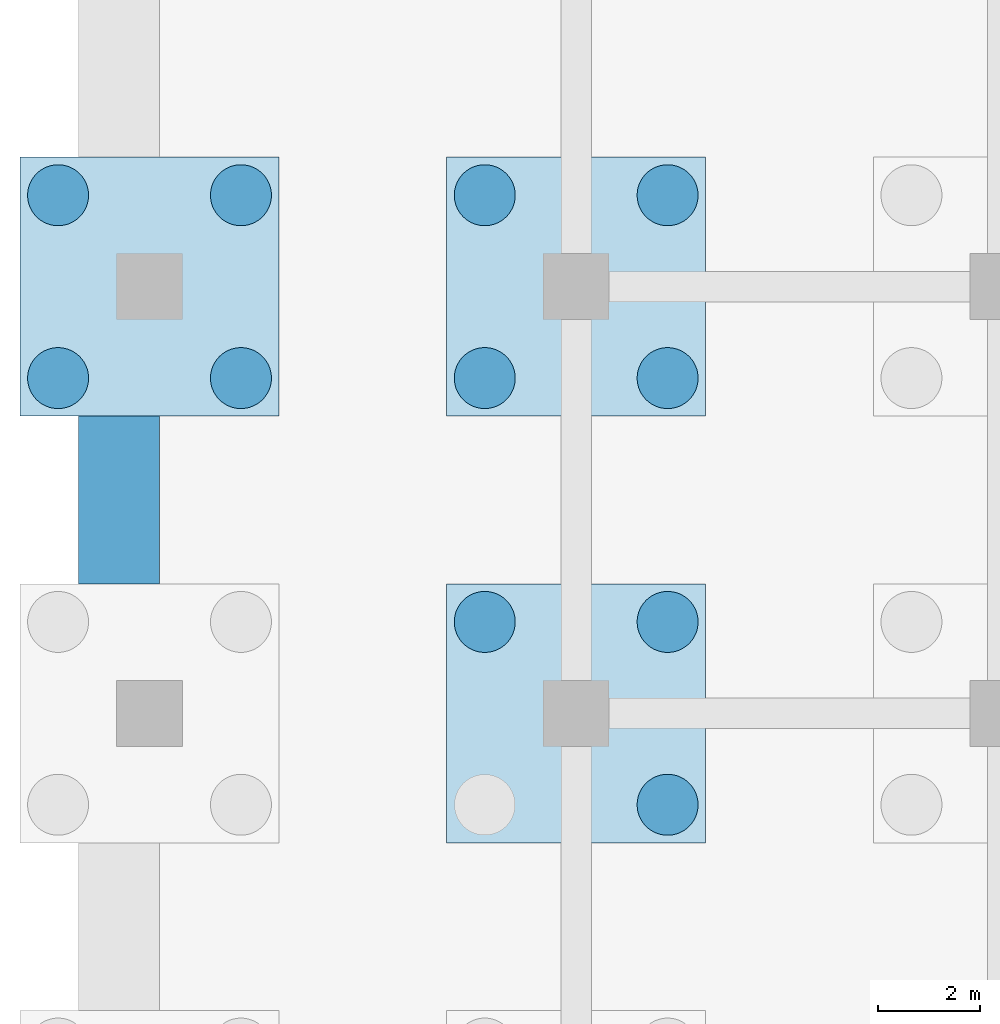
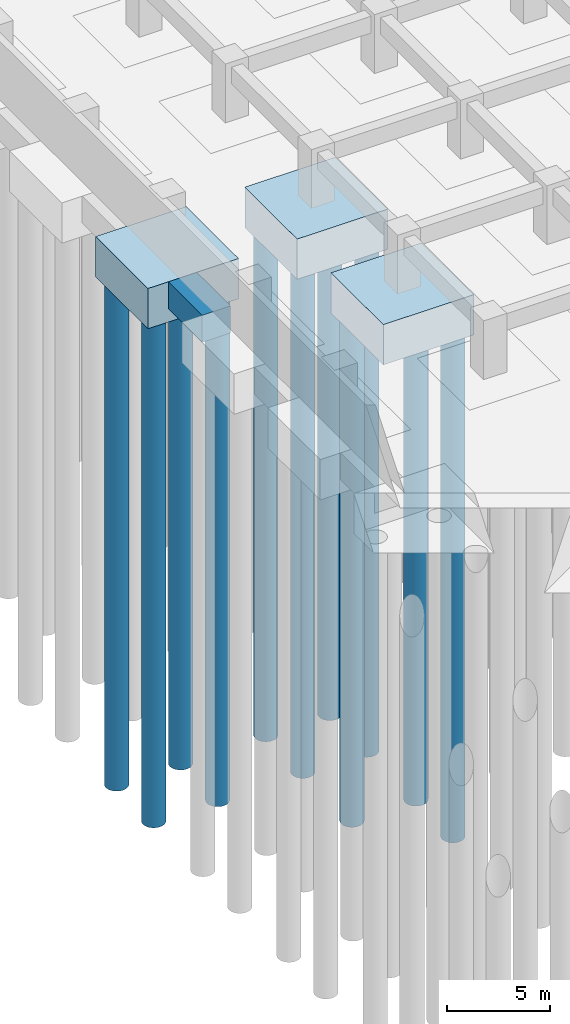
# One storey, part 13 of 73: 11 piles, 4 footings.
"""IFC4 building model written with IfcOpenShell, lengths in metres."""

import ifcopenshell
import ifcopenshell.guid

model = None  # the IFC model being written
_history = None  # IfcOwnerHistory: only IFC2X3 demands one
_inside = {}  # id of a spatial element -> (the spatial element, [elements in it])
_under = {}  # id of a project, library or spatial element -> (it, [spatial elements below it])
_declared = {}  # id of a project -> (the project, [libraries it declares])
_typed = {}  # id of a type object -> (the type object, [elements of that type])
_made_of = {}  # id of a material, layer set ... -> (it, [elements and type objects made of it])


def new_model(schema):
    """Start an empty IFC model of exactly this schema.

    Asked for "IFC4X3", IfcOpenShell would pick the latest addendum, in which some entities
    have other attributes; the version numbers below select the first issue.
    IFC2X3 requires an IfcOwnerHistory on every rooted entity: one is made here for all.
    """
    global model, _history
    if schema == "IFC4X3":
        model = ifcopenshell.file(schema_version=(4, 3, 0, 0))
    else:
        model = ifcopenshell.file(schema=schema)
    _inside.clear()
    _under.clear()
    _declared.clear()
    _typed.clear()
    _made_of.clear()
    _history = None
    if model.schema == "IFC2X3":
        org = make("IfcOrganization", Name="unknown")
        user = make(
            "IfcPersonAndOrganization",
            ThePerson=make("IfcPerson", FamilyName="unknown"),
            TheOrganization=org,
        )
        app = make(
            "IfcApplication",
            ApplicationDeveloper=org,
            Version="unknown",
            ApplicationFullName="unknown",
            ApplicationIdentifier="unknown",
        )
        _history = make(
            "IfcOwnerHistory",
            OwningUser=user,
            OwningApplication=app,
            ChangeAction="ADDED",
            CreationDate=0,
        )
    return model


def make(cls, **values):
    """One entity of the class cls with the attributes given. An attribute that is None is left unset."""
    return model.create_entity(
        cls, **{name: value for name, value in values.items() if value is not None}
    )


def rooted(cls, **values):
    """An entity with a GlobalId (a new one), such as an element, a storey or a relation."""
    return make(cls, GlobalId=ifcopenshell.guid.new(), OwnerHistory=_history, **values)


def si_unit(unit_type, name, prefix=None):
    """IfcSIUnit, for example si_unit("LENGTHUNIT", "METRE", prefix="MILLI")."""
    return make("IfcSIUnit", UnitType=unit_type, Prefix=prefix, Name=name)


def assignment(units):
    """IfcUnitAssignment: the units of a project."""
    return None if units is None else make("IfcUnitAssignment", Units=units)


def point(xyz):
    """IfcCartesianPoint."""
    return None if xyz is None else make("IfcCartesianPoint", Coordinates=xyz)


def direction(xyz):
    """IfcDirection."""
    return None if xyz is None else make("IfcDirection", DirectionRatios=xyz)


def frame(location, z_axis=None, x_axis=None):
    """IfcAxis2Placement3D, a coordinate frame: its origin and axes. An axis left out is left unset."""
    return make(
        "IfcAxis2Placement3D",
        Location=point(location),
        Axis=direction(z_axis),
        RefDirection=direction(x_axis),
    )


def frame_2d(location, x_axis=None):
    """IfcAxis2Placement2D, a coordinate frame in the plane: its origin and x axis."""
    return make(
        "IfcAxis2Placement2D", Location=point(location), RefDirection=direction(x_axis)
    )


def origin():
    """The frame at (0, 0, 0) with its axes left unset."""
    return frame((0.0, 0.0, 0.0))


def origin_2d():
    """The frame at (0, 0) in the plane with its x axis left unset."""
    return frame_2d((0.0, 0.0))


def place(relative_to, where):
    """IfcLocalPlacement: puts the frame where relative to a parent placement (None: the world)."""
    return make(
        "IfcLocalPlacement", PlacementRelTo=relative_to, RelativePlacement=where
    )


def context(
    kind, dimensions, precision=None, world=None, true_north=None, identifier=None
):
    """IfcGeometricRepresentationContext, for example the 3D "Model" context."""
    return make(
        "IfcGeometricRepresentationContext",
        ContextIdentifier=identifier,
        ContextType=kind,
        CoordinateSpaceDimension=dimensions,
        Precision=precision,
        WorldCoordinateSystem=world,
        TrueNorth=true_north,
    )


def subcontext(parent, identifier, kind, view, scale=None):
    """IfcGeometricRepresentationSubContext, for example "Body" below "Model"."""
    return make(
        "IfcGeometricRepresentationSubContext",
        ContextIdentifier=identifier,
        ContextType=kind,
        ParentContext=parent,
        TargetScale=scale,
        TargetView=view,
    )


def project(units=None, contexts=None):
    """IfcProject with its units and contexts."""
    return rooted(
        "IfcProject",
        Name="project",
        RepresentationContexts=contexts,
        UnitsInContext=assignment(units),
    )


def spatial(cls, under=None, at=None, **own):
    """A site, building, storey or space (cls), placed at a placement, below another one or the project."""
    s = rooted(cls, ObjectPlacement=at, **own)
    if under is not None:
        _under.setdefault(under.id(), (under, []))[1].append(s)
    return s


def polyline(points):
    """IfcPolyline through the points."""
    return make("IfcPolyline", Points=[point(p) for p in points])


def profile(cls, at=None, kind="AREA", **sizes):
    """A parametric profile (cls). Its sizes go by their IFC names, for example OverallWidth=200.0."""
    return make(cls, ProfileType=kind, Position=at, **sizes)


def circle(**sizes):
    """IfcCircleProfileDef."""
    return profile("IfcCircleProfileDef", **sizes)


def outline(outer, holes=None, kind="AREA"):
    """IfcArbitraryClosedProfileDef: a profile drawn as a closed curve; with holes, ...WithVoids."""
    if holes is None:
        return make("IfcArbitraryClosedProfileDef", ProfileType=kind, OuterCurve=outer)
    return make(
        "IfcArbitraryProfileDefWithVoids",
        ProfileType=kind,
        OuterCurve=outer,
        InnerCurves=holes,
    )


def extrude(swept, where, along, depth):
    """IfcExtrudedAreaSolid: the profile swept, set in the frame where, extruded along a direction by depth."""
    return make(
        "IfcExtrudedAreaSolid",
        SweptArea=swept,
        Position=where,
        ExtrudedDirection=direction(along),
        Depth=depth,
    )


def shape(context_of_items, identifier, shape_type, items):
    """IfcShapeRepresentation: the items that make up one representation, for example the "Body"."""
    return make(
        "IfcShapeRepresentation",
        ContextOfItems=context_of_items,
        RepresentationIdentifier=identifier,
        RepresentationType=shape_type,
        Items=items,
    )


def material(Name=None, Category=None):
    """IfcMaterial."""
    return make("IfcMaterial", Name=Name, Category=Category)


def material_profile(
    of_material, cross_section, Name=None, Category=None, Priority=None
):
    """IfcMaterialProfile: a cross section and its material."""
    return make(
        "IfcMaterialProfile",
        Name=Name,
        Material=of_material,
        Profile=cross_section,
        Priority=Priority,
        Category=Category,
    )


def profile_set(profiles, Name=None, composite=None):
    """IfcMaterialProfileSet."""
    return make(
        "IfcMaterialProfileSet",
        Name=Name,
        MaterialProfiles=profiles,
        CompositeProfile=composite,
    )


def made_of(thing, what):
    """Note that an element or type object is made of a material, layer set ...; save() writes the relation."""
    if what is not None:
        _made_of.setdefault(what.id(), (what, []))[1].append(thing)
    return thing


def type_object(cls, material=None, **own):
    """A type object (cls), such as IfcWallType, which elements share."""
    return made_of(rooted(cls, **own), material)


def element(
    cls,
    number,
    at=None,
    inside=None,
    cuts=None,
    type_object=None,
    material=None,
    context=None,
    identifier="Body",
    shape_type=None,
    held_by="IfcProductDefinitionShape",
    body=None,
    shapes=None,
    **own,
):
    """One element of the class cls, such as IfcWall. Its Tag is "e" and its number.

    at: its placement. inside: the storey or other place that contains it. cuts: it is an
    opening in that element (IfcRelVoidsElement). A single representation is given by context,
    identifier, shape_type and body (its items); several are given by shapes. held_by: the class
    of the entity that holds the representations. save() writes the other relations.
    """
    e = rooted(cls, Tag="e%d" % number, ObjectPlacement=at, **own)
    if body is not None:
        shapes = [shape(context, identifier, shape_type, body)]
    if shapes is not None:
        e.Representation = make(held_by, Representations=shapes)
    if inside is not None:
        _inside.setdefault(inside.id(), (inside, []))[1].append(e)
    if cuts is not None:
        rooted(
            "IfcRelVoidsElement", RelatingBuildingElement=cuts, RelatedOpeningElement=e
        )
    if type_object is not None:
        _typed.setdefault(type_object.id(), (type_object, []))[1].append(e)
    return made_of(e, material)


def aggregate(whole, parts):
    """IfcRelAggregates: a whole, such as a stair, and the parts it consists of."""
    return rooted("IfcRelAggregates", RelatingObject=whole, RelatedObjects=parts)


def save(model, path):
    """Write the relations noted so far, then the file.

    IfcRelAggregates (storeys below a building ...), IfcRelContainedInSpatialStructure (elements
    in a storey), IfcRelDefinesByType, IfcRelAssociatesMaterial and IfcRelDeclares: one each for
    every whole, place, type object, material and project.
    """
    for whole, parts in _under.values():
        aggregate(whole, parts)
    for where, things in _inside.values():
        rooted(
            "IfcRelContainedInSpatialStructure",
            RelatedElements=things,
            RelatingStructure=where,
        )
    for kind, things in _typed.values():
        rooted("IfcRelDefinesByType", RelatedObjects=things, RelatingType=kind)
    for what, things in _made_of.values():
        rooted("IfcRelAssociatesMaterial", RelatedObjects=things, RelatingMaterial=what)
    for by, libraries in _declared.values():
        rooted("IfcRelDeclares", RelatingContext=by, RelatedDefinitions=libraries)
    model.write(path)


model = new_model("IFC4")

# Units and contexts
model_context = context("Model", 3, precision=1e-05, world=origin(), true_north=direction((0.0, 1.0)))
body_context = subcontext(model_context, "Body", "Model", "MODEL_VIEW")
ifc_project = project(units=[si_unit("LENGTHUNIT", "METRE"), si_unit("AREAUNIT", "SQUARE_METRE"), si_unit("VOLUMEUNIT", "CUBIC_METRE"), si_unit("PLANEANGLEUNIT", "RADIAN"), si_unit("MASSUNIT", "GRAM", prefix="KILO")], contexts=[model_context])

# Site, building, storey
site_placement = place(None, origin())
site = spatial("IfcSite", under=ifc_project, at=site_placement, CompositionType="ELEMENT")
building_placement = place(site_placement, origin())
building = spatial("IfcBuilding", under=site, at=building_placement, Name="Impinga Residences", CompositionType="ELEMENT")
storey_placement = place(building_placement, frame((0.0, 0.0, -10.5)))
storey = spatial("IfcBuildingStorey", under=building, at=storey_placement, Name="B3", CompositionType="ELEMENT", Elevation=-10.5)

# Piles
ifc_material_1 = material(Name="Concrete C35/45", Category="concrete")
ifc_material_profile = material_profile(ifc_material_1, circle(Radius=0.60009765625, at=origin_2d()), Name="D1200")
ifc_profile_set = profile_set([ifc_material_profile], Name="Concrete C35/45")
pile_type = type_object("IfcPileType", Name="BP2 bored pile D1200", PredefinedType="BORED", material=ifc_profile_set)
pile_1_placement = place(storey_placement, frame((-52.199951171875, 15.0, -2.39990234375), z_axis=(0.0, 0.0, -1.0), x_axis=(1.0, 0.0, 0.0)))
element("IfcPile", 1, at=pile_1_placement, inside=storey, type_object=pile_type, Name="Cap pile BP2 1/H-1", PredefinedType="BORED", context=body_context, shape_type="SweptSolid", body=[
    extrude(outline(polyline([(0.60009765625, 0.0), (0.59716796875, 0.058837890625), (0.58837890625, 0.116943359375), (0.57421875, 0.174072265625), (0.554443359375, 0.2294921875), (0.529052734375, 0.282958984375), (0.498779296875, 0.333251953125), (0.4638671875, 0.380615234375), (0.42431640625, 0.42431640625), (0.380615234375, 0.4638671875), (0.333251953125, 0.498779296875), (0.282958984375, 0.529052734375), (0.2294921875, 0.554443359375), (0.174072265625, 0.57421875), (0.116943359375, 0.58837890625), (0.058837890625, 0.59716796875), (0.0, 0.60009765625), (-0.058837890625, 0.59716796875), (-0.116943359375, 0.58837890625), (-0.174072265625, 0.57421875), (-0.2294921875, 0.554443359375), (-0.282958984375, 0.529052734375), (-0.333251953125, 0.498779296875), (-0.380615234375, 0.4638671875), (-0.42431640625, 0.42431640625), (-0.4638671875, 0.380615234375), (-0.498779296875, 0.333251953125), (-0.529052734375, 0.282958984375), (-0.554443359375, 0.2294921875), (-0.57421875, 0.174072265625), (-0.58837890625, 0.116943359375), (-0.59716796875, 0.058837890625), (-0.60009765625, 0.0), (-0.59716796875, -0.058837890625), (-0.58837890625, -0.116943359375), (-0.57421875, -0.174072265625), (-0.554443359375, -0.2294921875), (-0.529052734375, -0.282958984375), (-0.498779296875, -0.333251953125), (-0.4638671875, -0.380615234375), (-0.42431640625, -0.42431640625), (-0.380615234375, -0.4638671875), (-0.333251953125, -0.498779296875), (-0.282958984375, -0.529052734375), (-0.2294921875, -0.554443359375), (-0.174072265625, -0.57421875), (-0.116943359375, -0.58837890625), (-0.058837890625, -0.59716796875), (0.0, -0.60009765625), (0.058837890625, -0.59716796875), (0.116943359375, -0.58837890625), (0.174072265625, -0.57421875), (0.2294921875, -0.554443359375), (0.282958984375, -0.529052734375), (0.333251953125, -0.498779296875), (0.380615234375, -0.4638671875), (0.42431640625, -0.42431640625), (0.4638671875, -0.380615234375), (0.498779296875, -0.333251953125), (0.529052734375, -0.282958984375), (0.554443359375, -0.2294921875), (0.57421875, -0.174072265625), (0.58837890625, -0.116943359375), (0.59716796875, -0.058837890625), (0.60009765625, 0.0)])), origin(), (0.0, 0.0, 1.0), 30.0),
])
pile_2_placement = place(storey_placement, frame((-48.60009765625, 15.0, -2.39990234375), z_axis=(0.0, 0.0, -1.0), x_axis=(1.0, 0.0, 0.0)))
element("IfcPile", 2, at=pile_2_placement, inside=storey, type_object=pile_type, Name="Cap pile BP2 1/H-2", PredefinedType="BORED", context=body_context, shape_type="SweptSolid", body=[
    extrude(outline(polyline([(0.60009765625, 0.0), (0.59716796875, 0.058837890625), (0.58837890625, 0.116943359375), (0.57421875, 0.174072265625), (0.554443359375, 0.2294921875), (0.529052734375, 0.282958984375), (0.498779296875, 0.333251953125), (0.4638671875, 0.380615234375), (0.42431640625, 0.42431640625), (0.380615234375, 0.4638671875), (0.333251953125, 0.498779296875), (0.282958984375, 0.529052734375), (0.2294921875, 0.554443359375), (0.174072265625, 0.57421875), (0.116943359375, 0.58837890625), (0.058837890625, 0.59716796875), (0.0, 0.60009765625), (-0.058837890625, 0.59716796875), (-0.116943359375, 0.58837890625), (-0.174072265625, 0.57421875), (-0.2294921875, 0.554443359375), (-0.282958984375, 0.529052734375), (-0.333251953125, 0.498779296875), (-0.380615234375, 0.4638671875), (-0.42431640625, 0.42431640625), (-0.4638671875, 0.380615234375), (-0.498779296875, 0.333251953125), (-0.529052734375, 0.282958984375), (-0.554443359375, 0.2294921875), (-0.57421875, 0.174072265625), (-0.58837890625, 0.116943359375), (-0.59716796875, 0.058837890625), (-0.60009765625, 0.0), (-0.59716796875, -0.058837890625), (-0.58837890625, -0.116943359375), (-0.57421875, -0.174072265625), (-0.554443359375, -0.2294921875), (-0.529052734375, -0.282958984375), (-0.498779296875, -0.333251953125), (-0.4638671875, -0.380615234375), (-0.42431640625, -0.42431640625), (-0.380615234375, -0.4638671875), (-0.333251953125, -0.498779296875), (-0.282958984375, -0.529052734375), (-0.2294921875, -0.554443359375), (-0.174072265625, -0.57421875), (-0.116943359375, -0.58837890625), (-0.058837890625, -0.59716796875), (0.0, -0.60009765625), (0.058837890625, -0.59716796875), (0.116943359375, -0.58837890625), (0.174072265625, -0.57421875), (0.2294921875, -0.554443359375), (0.282958984375, -0.529052734375), (0.333251953125, -0.498779296875), (0.380615234375, -0.4638671875), (0.42431640625, -0.42431640625), (0.4638671875, -0.380615234375), (0.498779296875, -0.333251953125), (0.529052734375, -0.282958984375), (0.554443359375, -0.2294921875), (0.57421875, -0.174072265625), (0.58837890625, -0.116943359375), (0.59716796875, -0.058837890625), (0.60009765625, 0.0)])), origin(), (0.0, 0.0, 1.0), 30.0),
])
pile_3_placement = place(storey_placement, frame((-48.60009765625, 18.60009765625, -2.39990234375), z_axis=(0.0, 0.0, -1.0), x_axis=(1.0, 0.0, 0.0)))
element("IfcPile", 3, at=pile_3_placement, inside=storey, type_object=pile_type, Name="Cap pile BP2 1/H-3", PredefinedType="BORED", context=body_context, shape_type="SweptSolid", body=[
    extrude(outline(polyline([(0.60009765625, 0.0), (0.59716796875, 0.058837890625), (0.58837890625, 0.116943359375), (0.57421875, 0.174072265625), (0.554443359375, 0.2294921875), (0.529052734375, 0.282958984375), (0.498779296875, 0.333251953125), (0.4638671875, 0.380615234375), (0.42431640625, 0.42431640625), (0.380615234375, 0.4638671875), (0.333251953125, 0.498779296875), (0.282958984375, 0.529052734375), (0.2294921875, 0.554443359375), (0.174072265625, 0.57421875), (0.116943359375, 0.58837890625), (0.058837890625, 0.59716796875), (0.0, 0.60009765625), (-0.058837890625, 0.59716796875), (-0.116943359375, 0.58837890625), (-0.174072265625, 0.57421875), (-0.2294921875, 0.554443359375), (-0.282958984375, 0.529052734375), (-0.333251953125, 0.498779296875), (-0.380615234375, 0.4638671875), (-0.42431640625, 0.42431640625), (-0.4638671875, 0.380615234375), (-0.498779296875, 0.333251953125), (-0.529052734375, 0.282958984375), (-0.554443359375, 0.2294921875), (-0.57421875, 0.174072265625), (-0.58837890625, 0.116943359375), (-0.59716796875, 0.058837890625), (-0.60009765625, 0.0), (-0.59716796875, -0.058837890625), (-0.58837890625, -0.116943359375), (-0.57421875, -0.174072265625), (-0.554443359375, -0.2294921875), (-0.529052734375, -0.282958984375), (-0.498779296875, -0.333251953125), (-0.4638671875, -0.380615234375), (-0.42431640625, -0.42431640625), (-0.380615234375, -0.4638671875), (-0.333251953125, -0.498779296875), (-0.282958984375, -0.529052734375), (-0.2294921875, -0.554443359375), (-0.174072265625, -0.57421875), (-0.116943359375, -0.58837890625), (-0.058837890625, -0.59716796875), (0.0, -0.60009765625), (0.058837890625, -0.59716796875), (0.116943359375, -0.58837890625), (0.174072265625, -0.57421875), (0.2294921875, -0.554443359375), (0.282958984375, -0.529052734375), (0.333251953125, -0.498779296875), (0.380615234375, -0.4638671875), (0.42431640625, -0.42431640625), (0.4638671875, -0.380615234375), (0.498779296875, -0.333251953125), (0.529052734375, -0.282958984375), (0.554443359375, -0.2294921875), (0.57421875, -0.174072265625), (0.58837890625, -0.116943359375), (0.59716796875, -0.058837890625), (0.60009765625, 0.0)])), origin(), (0.0, 0.0, 1.0), 30.0),
])
pile_4_placement = place(storey_placement, frame((-52.199951171875, 18.60009765625, -2.39990234375), z_axis=(0.0, 0.0, -1.0), x_axis=(1.0, 0.0, 0.0)))
element("IfcPile", 4, at=pile_4_placement, inside=storey, type_object=pile_type, Name="Cap pile BP2 1/H-4", PredefinedType="BORED", context=body_context, shape_type="SweptSolid", body=[
    extrude(outline(polyline([(0.60009765625, 0.0), (0.59716796875, 0.058837890625), (0.58837890625, 0.116943359375), (0.57421875, 0.174072265625), (0.554443359375, 0.2294921875), (0.529052734375, 0.282958984375), (0.498779296875, 0.333251953125), (0.4638671875, 0.380615234375), (0.42431640625, 0.42431640625), (0.380615234375, 0.4638671875), (0.333251953125, 0.498779296875), (0.282958984375, 0.529052734375), (0.2294921875, 0.554443359375), (0.174072265625, 0.57421875), (0.116943359375, 0.58837890625), (0.058837890625, 0.59716796875), (0.0, 0.60009765625), (-0.058837890625, 0.59716796875), (-0.116943359375, 0.58837890625), (-0.174072265625, 0.57421875), (-0.2294921875, 0.554443359375), (-0.282958984375, 0.529052734375), (-0.333251953125, 0.498779296875), (-0.380615234375, 0.4638671875), (-0.42431640625, 0.42431640625), (-0.4638671875, 0.380615234375), (-0.498779296875, 0.333251953125), (-0.529052734375, 0.282958984375), (-0.554443359375, 0.2294921875), (-0.57421875, 0.174072265625), (-0.58837890625, 0.116943359375), (-0.59716796875, 0.058837890625), (-0.60009765625, 0.0), (-0.59716796875, -0.058837890625), (-0.58837890625, -0.116943359375), (-0.57421875, -0.174072265625), (-0.554443359375, -0.2294921875), (-0.529052734375, -0.282958984375), (-0.498779296875, -0.333251953125), (-0.4638671875, -0.380615234375), (-0.42431640625, -0.42431640625), (-0.380615234375, -0.4638671875), (-0.333251953125, -0.498779296875), (-0.282958984375, -0.529052734375), (-0.2294921875, -0.554443359375), (-0.174072265625, -0.57421875), (-0.116943359375, -0.58837890625), (-0.058837890625, -0.59716796875), (0.0, -0.60009765625), (0.058837890625, -0.59716796875), (0.116943359375, -0.58837890625), (0.174072265625, -0.57421875), (0.2294921875, -0.554443359375), (0.282958984375, -0.529052734375), (0.333251953125, -0.498779296875), (0.380615234375, -0.4638671875), (0.42431640625, -0.42431640625), (0.4638671875, -0.380615234375), (0.498779296875, -0.333251953125), (0.529052734375, -0.282958984375), (0.554443359375, -0.2294921875), (0.57421875, -0.174072265625), (0.58837890625, -0.116943359375), (0.59716796875, -0.058837890625), (0.60009765625, 0.0)])), origin(), (0.0, 0.0, 1.0), 30.0),
])
pile_5_placement = place(storey_placement, frame((-40.199951171875, 6.60009765625, -2.39990234375), z_axis=(0.0, 0.0, -1.0), x_axis=(1.0, 0.0, 0.0)))
element("IfcPile", 5, at=pile_5_placement, inside=storey, type_object=pile_type, Name="Cap pile BP2 2/G-2", PredefinedType="BORED", context=body_context, shape_type="SweptSolid", body=[
    extrude(outline(polyline([(0.60009765625, 0.0), (0.59716796875, 0.058837890625), (0.58837890625, 0.116943359375), (0.57421875, 0.174072265625), (0.554443359375, 0.2294921875), (0.529052734375, 0.282958984375), (0.498779296875, 0.333251953125), (0.4638671875, 0.380615234375), (0.42431640625, 0.42431640625), (0.380615234375, 0.4638671875), (0.333251953125, 0.498779296875), (0.282958984375, 0.529052734375), (0.2294921875, 0.554443359375), (0.174072265625, 0.57421875), (0.116943359375, 0.58837890625), (0.058837890625, 0.59716796875), (0.0, 0.60009765625), (-0.058837890625, 0.59716796875), (-0.116943359375, 0.58837890625), (-0.174072265625, 0.57421875), (-0.2294921875, 0.554443359375), (-0.282958984375, 0.529052734375), (-0.333251953125, 0.498779296875), (-0.380615234375, 0.4638671875), (-0.42431640625, 0.42431640625), (-0.4638671875, 0.380615234375), (-0.498779296875, 0.333251953125), (-0.529052734375, 0.282958984375), (-0.554443359375, 0.2294921875), (-0.57421875, 0.174072265625), (-0.58837890625, 0.116943359375), (-0.59716796875, 0.058837890625), (-0.60009765625, 0.0), (-0.59716796875, -0.058837890625), (-0.58837890625, -0.116943359375), (-0.57421875, -0.174072265625), (-0.554443359375, -0.2294921875), (-0.529052734375, -0.282958984375), (-0.498779296875, -0.333251953125), (-0.4638671875, -0.380615234375), (-0.42431640625, -0.42431640625), (-0.380615234375, -0.4638671875), (-0.333251953125, -0.498779296875), (-0.282958984375, -0.529052734375), (-0.2294921875, -0.554443359375), (-0.174072265625, -0.57421875), (-0.116943359375, -0.58837890625), (-0.058837890625, -0.59716796875), (0.0, -0.60009765625), (0.058837890625, -0.59716796875), (0.116943359375, -0.58837890625), (0.174072265625, -0.57421875), (0.2294921875, -0.554443359375), (0.282958984375, -0.529052734375), (0.333251953125, -0.498779296875), (0.380615234375, -0.4638671875), (0.42431640625, -0.42431640625), (0.4638671875, -0.380615234375), (0.498779296875, -0.333251953125), (0.529052734375, -0.282958984375), (0.554443359375, -0.2294921875), (0.57421875, -0.174072265625), (0.58837890625, -0.116943359375), (0.59716796875, -0.058837890625), (0.60009765625, 0.0)])), origin(), (0.0, 0.0, 1.0), 30.0),
])
pile_6_placement = place(storey_placement, frame((-40.199951171875, 10.199951171875, -2.39990234375), z_axis=(0.0, 0.0, -1.0), x_axis=(1.0, 0.0, 0.0)))
element("IfcPile", 6, at=pile_6_placement, inside=storey, type_object=pile_type, Name="Cap pile BP2 2/G-3", PredefinedType="BORED", context=body_context, shape_type="SweptSolid", body=[
    extrude(outline(polyline([(0.60009765625, 0.0), (0.59716796875, 0.058837890625), (0.58837890625, 0.116943359375), (0.57421875, 0.174072265625), (0.554443359375, 0.2294921875), (0.529052734375, 0.282958984375), (0.498779296875, 0.333251953125), (0.4638671875, 0.380615234375), (0.42431640625, 0.42431640625), (0.380615234375, 0.4638671875), (0.333251953125, 0.498779296875), (0.282958984375, 0.529052734375), (0.2294921875, 0.554443359375), (0.174072265625, 0.57421875), (0.116943359375, 0.58837890625), (0.058837890625, 0.59716796875), (0.0, 0.60009765625), (-0.058837890625, 0.59716796875), (-0.116943359375, 0.58837890625), (-0.174072265625, 0.57421875), (-0.2294921875, 0.554443359375), (-0.282958984375, 0.529052734375), (-0.333251953125, 0.498779296875), (-0.380615234375, 0.4638671875), (-0.42431640625, 0.42431640625), (-0.4638671875, 0.380615234375), (-0.498779296875, 0.333251953125), (-0.529052734375, 0.282958984375), (-0.554443359375, 0.2294921875), (-0.57421875, 0.174072265625), (-0.58837890625, 0.116943359375), (-0.59716796875, 0.058837890625), (-0.60009765625, 0.0), (-0.59716796875, -0.058837890625), (-0.58837890625, -0.116943359375), (-0.57421875, -0.174072265625), (-0.554443359375, -0.2294921875), (-0.529052734375, -0.282958984375), (-0.498779296875, -0.333251953125), (-0.4638671875, -0.380615234375), (-0.42431640625, -0.42431640625), (-0.380615234375, -0.4638671875), (-0.333251953125, -0.498779296875), (-0.282958984375, -0.529052734375), (-0.2294921875, -0.554443359375), (-0.174072265625, -0.57421875), (-0.116943359375, -0.58837890625), (-0.058837890625, -0.59716796875), (0.0, -0.60009765625), (0.058837890625, -0.59716796875), (0.116943359375, -0.58837890625), (0.174072265625, -0.57421875), (0.2294921875, -0.554443359375), (0.282958984375, -0.529052734375), (0.333251953125, -0.498779296875), (0.380615234375, -0.4638671875), (0.42431640625, -0.42431640625), (0.4638671875, -0.380615234375), (0.498779296875, -0.333251953125), (0.529052734375, -0.282958984375), (0.554443359375, -0.2294921875), (0.57421875, -0.174072265625), (0.58837890625, -0.116943359375), (0.59716796875, -0.058837890625), (0.60009765625, 0.0)])), origin(), (0.0, 0.0, 1.0), 30.0),
])
pile_7_placement = place(storey_placement, frame((-43.800048828125, 10.199951171875, -2.39990234375), z_axis=(0.0, 0.0, -1.0), x_axis=(1.0, 0.0, 0.0)))
element("IfcPile", 7, at=pile_7_placement, inside=storey, type_object=pile_type, Name="Cap pile BP2 2/G-4", PredefinedType="BORED", context=body_context, shape_type="SweptSolid", body=[
    extrude(outline(polyline([(0.60009765625, 0.0), (0.59716796875, 0.058837890625), (0.58837890625, 0.116943359375), (0.57421875, 0.174072265625), (0.554443359375, 0.2294921875), (0.529052734375, 0.282958984375), (0.498779296875, 0.333251953125), (0.4638671875, 0.380615234375), (0.42431640625, 0.42431640625), (0.380615234375, 0.4638671875), (0.333251953125, 0.498779296875), (0.282958984375, 0.529052734375), (0.2294921875, 0.554443359375), (0.174072265625, 0.57421875), (0.116943359375, 0.58837890625), (0.058837890625, 0.59716796875), (0.0, 0.60009765625), (-0.058837890625, 0.59716796875), (-0.116943359375, 0.58837890625), (-0.174072265625, 0.57421875), (-0.2294921875, 0.554443359375), (-0.282958984375, 0.529052734375), (-0.333251953125, 0.498779296875), (-0.380615234375, 0.4638671875), (-0.42431640625, 0.42431640625), (-0.4638671875, 0.380615234375), (-0.498779296875, 0.333251953125), (-0.529052734375, 0.282958984375), (-0.554443359375, 0.2294921875), (-0.57421875, 0.174072265625), (-0.58837890625, 0.116943359375), (-0.59716796875, 0.058837890625), (-0.60009765625, 0.0), (-0.59716796875, -0.058837890625), (-0.58837890625, -0.116943359375), (-0.57421875, -0.174072265625), (-0.554443359375, -0.2294921875), (-0.529052734375, -0.282958984375), (-0.498779296875, -0.333251953125), (-0.4638671875, -0.380615234375), (-0.42431640625, -0.42431640625), (-0.380615234375, -0.4638671875), (-0.333251953125, -0.498779296875), (-0.282958984375, -0.529052734375), (-0.2294921875, -0.554443359375), (-0.174072265625, -0.57421875), (-0.116943359375, -0.58837890625), (-0.058837890625, -0.59716796875), (0.0, -0.60009765625), (0.058837890625, -0.59716796875), (0.116943359375, -0.58837890625), (0.174072265625, -0.57421875), (0.2294921875, -0.554443359375), (0.282958984375, -0.529052734375), (0.333251953125, -0.498779296875), (0.380615234375, -0.4638671875), (0.42431640625, -0.42431640625), (0.4638671875, -0.380615234375), (0.498779296875, -0.333251953125), (0.529052734375, -0.282958984375), (0.554443359375, -0.2294921875), (0.57421875, -0.174072265625), (0.58837890625, -0.116943359375), (0.59716796875, -0.058837890625), (0.60009765625, 0.0)])), origin(), (0.0, 0.0, 1.0), 30.0),
])
pile_8_placement = place(storey_placement, frame((-43.800048828125, 15.0, -2.39990234375), z_axis=(0.0, 0.0, -1.0), x_axis=(1.0, 0.0, 0.0)))
element("IfcPile", 8, at=pile_8_placement, inside=storey, type_object=pile_type, Name="Cap pile BP2 2/H-1", PredefinedType="BORED", context=body_context, shape_type="SweptSolid", body=[
    extrude(outline(polyline([(0.60009765625, 0.0), (0.59716796875, 0.058837890625), (0.58837890625, 0.116943359375), (0.57421875, 0.174072265625), (0.554443359375, 0.2294921875), (0.529052734375, 0.282958984375), (0.498779296875, 0.333251953125), (0.4638671875, 0.380615234375), (0.42431640625, 0.42431640625), (0.380615234375, 0.4638671875), (0.333251953125, 0.498779296875), (0.282958984375, 0.529052734375), (0.2294921875, 0.554443359375), (0.174072265625, 0.57421875), (0.116943359375, 0.58837890625), (0.058837890625, 0.59716796875), (0.0, 0.60009765625), (-0.058837890625, 0.59716796875), (-0.116943359375, 0.58837890625), (-0.174072265625, 0.57421875), (-0.2294921875, 0.554443359375), (-0.282958984375, 0.529052734375), (-0.333251953125, 0.498779296875), (-0.380615234375, 0.4638671875), (-0.42431640625, 0.42431640625), (-0.4638671875, 0.380615234375), (-0.498779296875, 0.333251953125), (-0.529052734375, 0.282958984375), (-0.554443359375, 0.2294921875), (-0.57421875, 0.174072265625), (-0.58837890625, 0.116943359375), (-0.59716796875, 0.058837890625), (-0.60009765625, 0.0), (-0.59716796875, -0.058837890625), (-0.58837890625, -0.116943359375), (-0.57421875, -0.174072265625), (-0.554443359375, -0.2294921875), (-0.529052734375, -0.282958984375), (-0.498779296875, -0.333251953125), (-0.4638671875, -0.380615234375), (-0.42431640625, -0.42431640625), (-0.380615234375, -0.4638671875), (-0.333251953125, -0.498779296875), (-0.282958984375, -0.529052734375), (-0.2294921875, -0.554443359375), (-0.174072265625, -0.57421875), (-0.116943359375, -0.58837890625), (-0.058837890625, -0.59716796875), (0.0, -0.60009765625), (0.058837890625, -0.59716796875), (0.116943359375, -0.58837890625), (0.174072265625, -0.57421875), (0.2294921875, -0.554443359375), (0.282958984375, -0.529052734375), (0.333251953125, -0.498779296875), (0.380615234375, -0.4638671875), (0.42431640625, -0.42431640625), (0.4638671875, -0.380615234375), (0.498779296875, -0.333251953125), (0.529052734375, -0.282958984375), (0.554443359375, -0.2294921875), (0.57421875, -0.174072265625), (0.58837890625, -0.116943359375), (0.59716796875, -0.058837890625), (0.60009765625, 0.0)])), origin(), (0.0, 0.0, 1.0), 30.0),
])
pile_9_placement = place(storey_placement, frame((-40.199951171875, 15.0, -2.39990234375), z_axis=(0.0, 0.0, -1.0), x_axis=(1.0, 0.0, 0.0)))
element("IfcPile", 9, at=pile_9_placement, inside=storey, type_object=pile_type, Name="Cap pile BP2 2/H-2", PredefinedType="BORED", context=body_context, shape_type="SweptSolid", body=[
    extrude(outline(polyline([(0.60009765625, 0.0), (0.59716796875, 0.058837890625), (0.58837890625, 0.116943359375), (0.57421875, 0.174072265625), (0.554443359375, 0.2294921875), (0.529052734375, 0.282958984375), (0.498779296875, 0.333251953125), (0.4638671875, 0.380615234375), (0.42431640625, 0.42431640625), (0.380615234375, 0.4638671875), (0.333251953125, 0.498779296875), (0.282958984375, 0.529052734375), (0.2294921875, 0.554443359375), (0.174072265625, 0.57421875), (0.116943359375, 0.58837890625), (0.058837890625, 0.59716796875), (0.0, 0.60009765625), (-0.058837890625, 0.59716796875), (-0.116943359375, 0.58837890625), (-0.174072265625, 0.57421875), (-0.2294921875, 0.554443359375), (-0.282958984375, 0.529052734375), (-0.333251953125, 0.498779296875), (-0.380615234375, 0.4638671875), (-0.42431640625, 0.42431640625), (-0.4638671875, 0.380615234375), (-0.498779296875, 0.333251953125), (-0.529052734375, 0.282958984375), (-0.554443359375, 0.2294921875), (-0.57421875, 0.174072265625), (-0.58837890625, 0.116943359375), (-0.59716796875, 0.058837890625), (-0.60009765625, 0.0), (-0.59716796875, -0.058837890625), (-0.58837890625, -0.116943359375), (-0.57421875, -0.174072265625), (-0.554443359375, -0.2294921875), (-0.529052734375, -0.282958984375), (-0.498779296875, -0.333251953125), (-0.4638671875, -0.380615234375), (-0.42431640625, -0.42431640625), (-0.380615234375, -0.4638671875), (-0.333251953125, -0.498779296875), (-0.282958984375, -0.529052734375), (-0.2294921875, -0.554443359375), (-0.174072265625, -0.57421875), (-0.116943359375, -0.58837890625), (-0.058837890625, -0.59716796875), (0.0, -0.60009765625), (0.058837890625, -0.59716796875), (0.116943359375, -0.58837890625), (0.174072265625, -0.57421875), (0.2294921875, -0.554443359375), (0.282958984375, -0.529052734375), (0.333251953125, -0.498779296875), (0.380615234375, -0.4638671875), (0.42431640625, -0.42431640625), (0.4638671875, -0.380615234375), (0.498779296875, -0.333251953125), (0.529052734375, -0.282958984375), (0.554443359375, -0.2294921875), (0.57421875, -0.174072265625), (0.58837890625, -0.116943359375), (0.59716796875, -0.058837890625), (0.60009765625, 0.0)])), origin(), (0.0, 0.0, 1.0), 30.0),
])
pile_10_placement = place(storey_placement, frame((-40.199951171875, 18.60009765625, -2.39990234375), z_axis=(0.0, 0.0, -1.0), x_axis=(1.0, 0.0, 0.0)))
element("IfcPile", 10, at=pile_10_placement, inside=storey, type_object=pile_type, Name="Cap pile BP2 2/H-3", PredefinedType="BORED", context=body_context, shape_type="SweptSolid", body=[
    extrude(outline(polyline([(0.60009765625, 0.0), (0.59716796875, 0.058837890625), (0.58837890625, 0.116943359375), (0.57421875, 0.174072265625), (0.554443359375, 0.2294921875), (0.529052734375, 0.282958984375), (0.498779296875, 0.333251953125), (0.4638671875, 0.380615234375), (0.42431640625, 0.42431640625), (0.380615234375, 0.4638671875), (0.333251953125, 0.498779296875), (0.282958984375, 0.529052734375), (0.2294921875, 0.554443359375), (0.174072265625, 0.57421875), (0.116943359375, 0.58837890625), (0.058837890625, 0.59716796875), (0.0, 0.60009765625), (-0.058837890625, 0.59716796875), (-0.116943359375, 0.58837890625), (-0.174072265625, 0.57421875), (-0.2294921875, 0.554443359375), (-0.282958984375, 0.529052734375), (-0.333251953125, 0.498779296875), (-0.380615234375, 0.4638671875), (-0.42431640625, 0.42431640625), (-0.4638671875, 0.380615234375), (-0.498779296875, 0.333251953125), (-0.529052734375, 0.282958984375), (-0.554443359375, 0.2294921875), (-0.57421875, 0.174072265625), (-0.58837890625, 0.116943359375), (-0.59716796875, 0.058837890625), (-0.60009765625, 0.0), (-0.59716796875, -0.058837890625), (-0.58837890625, -0.116943359375), (-0.57421875, -0.174072265625), (-0.554443359375, -0.2294921875), (-0.529052734375, -0.282958984375), (-0.498779296875, -0.333251953125), (-0.4638671875, -0.380615234375), (-0.42431640625, -0.42431640625), (-0.380615234375, -0.4638671875), (-0.333251953125, -0.498779296875), (-0.282958984375, -0.529052734375), (-0.2294921875, -0.554443359375), (-0.174072265625, -0.57421875), (-0.116943359375, -0.58837890625), (-0.058837890625, -0.59716796875), (0.0, -0.60009765625), (0.058837890625, -0.59716796875), (0.116943359375, -0.58837890625), (0.174072265625, -0.57421875), (0.2294921875, -0.554443359375), (0.282958984375, -0.529052734375), (0.333251953125, -0.498779296875), (0.380615234375, -0.4638671875), (0.42431640625, -0.42431640625), (0.4638671875, -0.380615234375), (0.498779296875, -0.333251953125), (0.529052734375, -0.282958984375), (0.554443359375, -0.2294921875), (0.57421875, -0.174072265625), (0.58837890625, -0.116943359375), (0.59716796875, -0.058837890625), (0.60009765625, 0.0)])), origin(), (0.0, 0.0, 1.0), 30.0),
])
pile_11_placement = place(storey_placement, frame((-43.800048828125, 18.60009765625, -2.39990234375), z_axis=(0.0, 0.0, -1.0), x_axis=(1.0, 0.0, 0.0)))
element("IfcPile", 11, at=pile_11_placement, inside=storey, type_object=pile_type, Name="Cap pile BP2 2/H-4", PredefinedType="BORED", context=body_context, shape_type="SweptSolid", body=[
    extrude(outline(polyline([(0.60009765625, 0.0), (0.59716796875, 0.058837890625), (0.58837890625, 0.116943359375), (0.57421875, 0.174072265625), (0.554443359375, 0.2294921875), (0.529052734375, 0.282958984375), (0.498779296875, 0.333251953125), (0.4638671875, 0.380615234375), (0.42431640625, 0.42431640625), (0.380615234375, 0.4638671875), (0.333251953125, 0.498779296875), (0.282958984375, 0.529052734375), (0.2294921875, 0.554443359375), (0.174072265625, 0.57421875), (0.116943359375, 0.58837890625), (0.058837890625, 0.59716796875), (0.0, 0.60009765625), (-0.058837890625, 0.59716796875), (-0.116943359375, 0.58837890625), (-0.174072265625, 0.57421875), (-0.2294921875, 0.554443359375), (-0.282958984375, 0.529052734375), (-0.333251953125, 0.498779296875), (-0.380615234375, 0.4638671875), (-0.42431640625, 0.42431640625), (-0.4638671875, 0.380615234375), (-0.498779296875, 0.333251953125), (-0.529052734375, 0.282958984375), (-0.554443359375, 0.2294921875), (-0.57421875, 0.174072265625), (-0.58837890625, 0.116943359375), (-0.59716796875, 0.058837890625), (-0.60009765625, 0.0), (-0.59716796875, -0.058837890625), (-0.58837890625, -0.116943359375), (-0.57421875, -0.174072265625), (-0.554443359375, -0.2294921875), (-0.529052734375, -0.282958984375), (-0.498779296875, -0.333251953125), (-0.4638671875, -0.380615234375), (-0.42431640625, -0.42431640625), (-0.380615234375, -0.4638671875), (-0.333251953125, -0.498779296875), (-0.282958984375, -0.529052734375), (-0.2294921875, -0.554443359375), (-0.174072265625, -0.57421875), (-0.116943359375, -0.58837890625), (-0.058837890625, -0.59716796875), (0.0, -0.60009765625), (0.058837890625, -0.59716796875), (0.116943359375, -0.58837890625), (0.174072265625, -0.57421875), (0.2294921875, -0.554443359375), (0.282958984375, -0.529052734375), (0.333251953125, -0.498779296875), (0.380615234375, -0.4638671875), (0.42431640625, -0.42431640625), (0.4638671875, -0.380615234375), (0.498779296875, -0.333251953125), (0.529052734375, -0.282958984375), (0.554443359375, -0.2294921875), (0.57421875, -0.174072265625), (0.58837890625, -0.116943359375), (0.59716796875, -0.058837890625), (0.60009765625, 0.0)])), origin(), (0.0, 0.0, 1.0), 30.0),
])

# Footings
ifc_material_2 = material(Name="Concrete C45/55", Category="concrete")
footing_type_1 = type_object("IfcFootingType", Name="PC4 four-pile cap 5100 square 2400 deep", PredefinedType="PILE_CAP", material=ifc_material_2)
footing_1_placement = place(storey_placement, frame((0.0, 0.0, -2.39990234375)))
element("IfcFooting", 12, at=footing_1_placement, inside=storey, type_object=footing_type_1, Name="Pile cap PC4 1/H", PredefinedType="PILE_CAP", context=body_context, shape_type="SweptSolid", body=[
    extrude(outline(polyline([(-47.85009765625, 14.25), (-47.85009765625, 19.35009765625), (-52.949951171875, 19.35009765625), (-52.949951171875, 14.25), (-47.85009765625, 14.25)])), origin(), (0.0, 0.0, 1.0), 2.39990234375),
])
footing_2_placement = place(storey_placement, frame((0.0, 0.0, -2.39990234375)))
element("IfcFooting", 13, at=footing_2_placement, inside=storey, type_object=footing_type_1, Name="Pile cap PC4 2/G", PredefinedType="PILE_CAP", context=body_context, shape_type="SweptSolid", body=[
    extrude(outline(polyline([(-39.449951171875, 5.85009765625), (-39.449951171875, 10.949951171875), (-44.550048828125, 10.949951171875), (-44.550048828125, 5.85009765625), (-39.449951171875, 5.85009765625)])), origin(), (0.0, 0.0, 1.0), 2.39990234375),
])
footing_3_placement = place(storey_placement, frame((0.0, 0.0, -2.39990234375)))
element("IfcFooting", 14, at=footing_3_placement, inside=storey, type_object=footing_type_1, Name="Pile cap PC4 2/H", PredefinedType="PILE_CAP", context=body_context, shape_type="SweptSolid", body=[
    extrude(outline(polyline([(-39.449951171875, 14.25), (-39.449951171875, 19.35009765625), (-44.550048828125, 19.35009765625), (-44.550048828125, 14.25), (-39.449951171875, 14.25)])), origin(), (0.0, 0.0, 1.0), 2.39990234375),
])
footing_type_2 = type_object("IfcFootingType", Name="SF1 strip footing 1600 wide 1600 deep", PredefinedType="STRIP_FOOTING", material=ifc_material_2)
footing_4_placement = place(storey_placement, frame((0.0, 0.0, -1.60009765625)))
element("IfcFooting", 15, at=footing_4_placement, inside=storey, type_object=footing_type_2, Name="Strip footing SF1 W 5", PredefinedType="STRIP_FOOTING", context=body_context, shape_type="SweptSolid", body=[
    extrude(outline(polyline([(-50.199951171875, 10.949951171875), (-51.800048828125, 10.949951171875), (-51.800048828125, 14.25), (-50.199951171875, 14.25), (-50.199951171875, 10.949951171875)])), origin(), (0.0, 0.0, 1.0), 1.60009765625),
])

save(model, "model.ifc")
